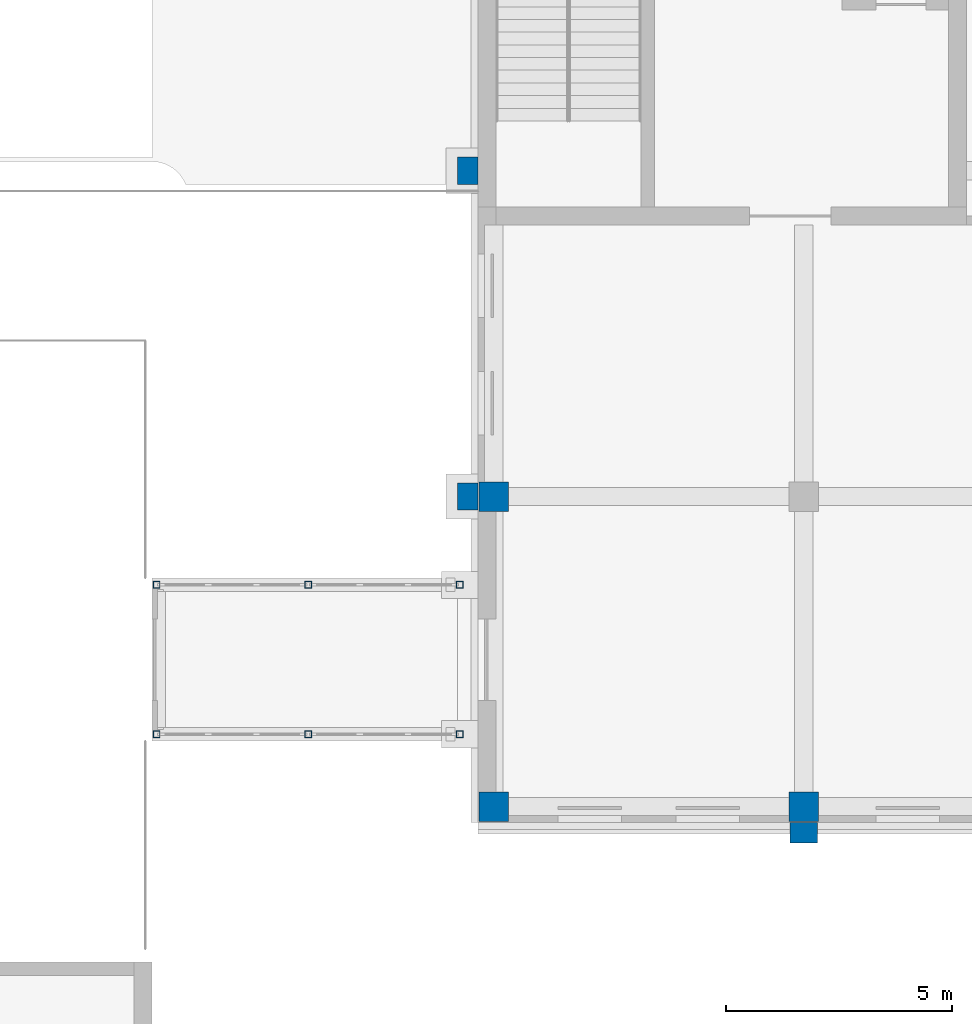
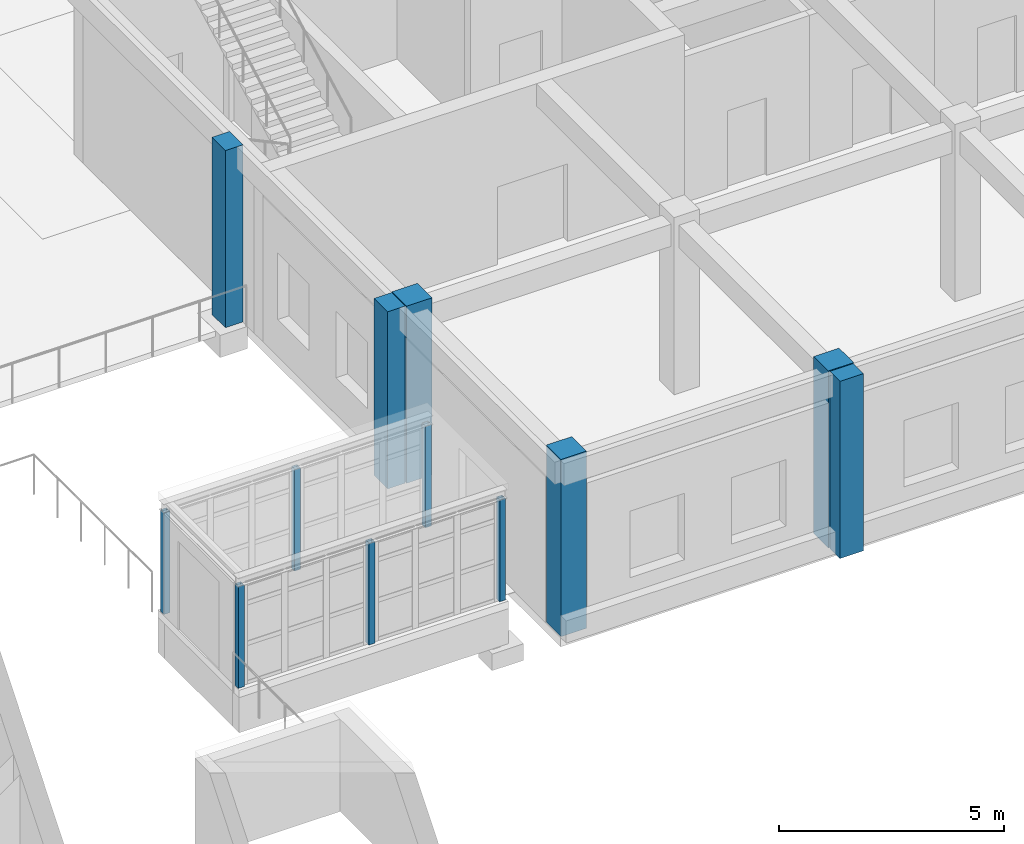
# One storey, part 30 of 131: 12 columns.
"""IFC4 building model written with IfcOpenShell, lengths in metres."""

from ifc_helpers import new_model, si_unit, direction, frame, origin, origin_2d, place, context, subcontext, project, spatial, rectangle, hollow_rectangle, extrude, material, material_profile, profile_set, type_object, element, save


model = new_model("IFC4")

# Units and contexts
model_context = context("Model", 3, precision=1e-05, world=origin(), true_north=direction((0.0, 1.0)))
body_context = subcontext(model_context, "Body", "Model", "MODEL_VIEW")
ifc_project = project(units=[si_unit("LENGTHUNIT", "METRE"), si_unit("AREAUNIT", "SQUARE_METRE"), si_unit("VOLUMEUNIT", "CUBIC_METRE"), si_unit("PLANEANGLEUNIT", "RADIAN"), si_unit("MASSUNIT", "GRAM", prefix="KILO")], contexts=[model_context])

# Site, building, storey
site_placement = place(None, origin())
site = spatial("IfcSite", under=ifc_project, at=site_placement, CompositionType="ELEMENT")
building_placement = place(site_placement, origin())
building = spatial("IfcBuilding", under=site, at=building_placement, Name="Alderwick Market Hall", CompositionType="ELEMENT")
storey_placement = place(building_placement, frame((0.0, 0.0, 4.800048828125)))
storey = spatial("IfcBuildingStorey", under=building, at=storey_placement, Name="L00", CompositionType="ELEMENT", Elevation=4.800048828125)

# Columns
ifc_material_1 = material(Name="Concrete 5000 psi (f'c 35 MPa)", Category="concrete")
ifc_material_profile_1 = material_profile(ifc_material_1, rectangle(XDim=0.64990234375, YDim=0.64990234375, at=origin_2d()), Name="RC 650x650")
ifc_profile_set_1 = profile_set([ifc_material_profile_1], Name="Concrete 5000 psi (f'c 35 MPa)")
column_type_1 = type_object("IfcColumnType", Name="F Column RC 650x650", PredefinedType="COLUMN", material=ifc_profile_set_1)
for number, where, z_axis, x_axis, name in (
    (1, (158.75, 129.949951171875, 0.0), (0.0, 0.0, 1.0), (1.0, 0.0, 0.0), "F.col.L00.01"),
    (2, (165.60009765625, 129.949951171875, 0.0), (0.0, 0.0, 1.0), (1.0, 0.0, 0.0), "F.col.L00.02"),
    (3, (158.75, 136.800048828125, 0.0), (0.0, 0.0, 1.0), (1.0, 0.0, 0.0), "F.col.L00.12"),
):
    element("IfcColumn", number, at=place(storey_placement, frame(where, z_axis=z_axis, x_axis=x_axis)), inside=storey, type_object=column_type_1, Name=name, PredefinedType="COLUMN", context=body_context, shape_type="SweptSolid", body=[
        extrude(rectangle(XDim=0.64990234375, YDim=0.64990234375, at=origin_2d()), origin(), (0.0, 0.0, 1.0), 4.800048828125),
    ])
ifc_material_profile_2 = material_profile(ifc_material_1, rectangle(XDim=0.60009765625, YDim=0.449951171875, at=origin_2d()), Name="PC 600x450")
ifc_profile_set_2 = profile_set([ifc_material_profile_2], Name="Concrete 5000 psi (f'c 35 MPa)")
column_type_2 = type_object("IfcColumnType", Name="F Pilaster Precast Concrete 600x450", PredefinedType="PILASTER", material=ifc_profile_set_2)
for number, where, z_axis, x_axis, name in (
    (4, (165.60009765625, 129.375, 0.0), (0.0, 0.0, 1.0), (1.0, 0.0, 0.0), "F.pilaster.L00.002"),
    (5, (158.175048828125, 136.800048828125, 0.0), (0.0, 0.0, 1.0), (0.0, 1.0, 0.0), "F.pilaster.L00.039"),
    (6, (158.175048828125, 144.0, 0.0), (0.0, 0.0, 1.0), (0.0, 1.0, 0.0), "F.pilaster.L00.042"),
):
    element("IfcColumn", number, at=place(storey_placement, frame(where, z_axis=z_axis, x_axis=x_axis)), inside=storey, type_object=column_type_2, Name=name, PredefinedType="PILASTER", context=body_context, shape_type="SweptSolid", body=[
        extrude(rectangle(XDim=0.60009765625, YDim=0.449951171875, at=origin_2d()), origin(), (0.0, 0.0, 1.0), 4.800048828125),
    ])
ifc_material_2 = material(Name="Steel ASTM A500 Grade C", Category="steel")
ifc_material_profile_3 = material_profile(ifc_material_2, hollow_rectangle(XDim=0.152099609375, YDim=0.152099609375, WallThickness=0.009521484375, at=origin_2d()), Name="HSS152x152x9.5")
ifc_profile_set_3 = profile_set([ifc_material_profile_3], Name="Steel ASTM A500 Grade C")
column_type_3 = type_object("IfcColumnType", Name="P HSS Column 152x152x9.5", PredefinedType="COLUMN", material=ifc_profile_set_3)
for number, where, z_axis, x_axis, name in (
    (7, (151.300048828125, 131.550048828125, 0.0), (0.0, 0.0, 1.0), (1.0, 0.0, 0.0), "P.P9.col.a0"),
    (8, (154.64990234375, 131.550048828125, 0.0), (0.0, 0.0, 1.0), (1.0, 0.0, 0.0), "P.P9.col.a1"),
    (9, (158.0, 131.550048828125, 0.0), (0.0, 0.0, 1.0), (1.0, 0.0, 0.0), "P.P9.col.a2"),
    (10, (151.300048828125, 134.85009765625, 0.0), (0.0, 0.0, 1.0), (1.0, 0.0, 0.0), "P.P9.col.b0"),
    (11, (154.64990234375, 134.85009765625, 0.0), (0.0, 0.0, 1.0), (1.0, 0.0, 0.0), "P.P9.col.b1"),
    (12, (158.0, 134.85009765625, 0.0), (0.0, 0.0, 1.0), (1.0, 0.0, 0.0), "P.P9.col.b2"),
):
    element("IfcColumn", number, at=place(storey_placement, frame(where, z_axis=z_axis, x_axis=x_axis)), inside=storey, type_object=column_type_3, Name=name, PredefinedType="COLUMN", context=body_context, shape_type="SweptSolid", body=[
        extrude(hollow_rectangle(XDim=0.152099609375, YDim=0.152099609375, WallThickness=0.009521484375, at=origin_2d()), origin(), (0.0, 0.0, 1.0), 2.7529296875),
    ])

save(model, "model.ifc")
